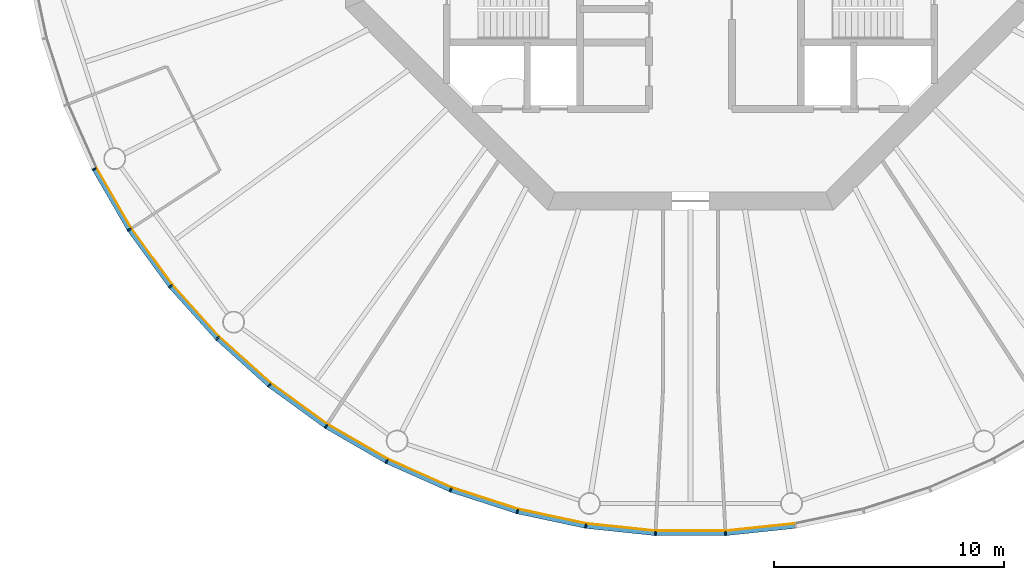
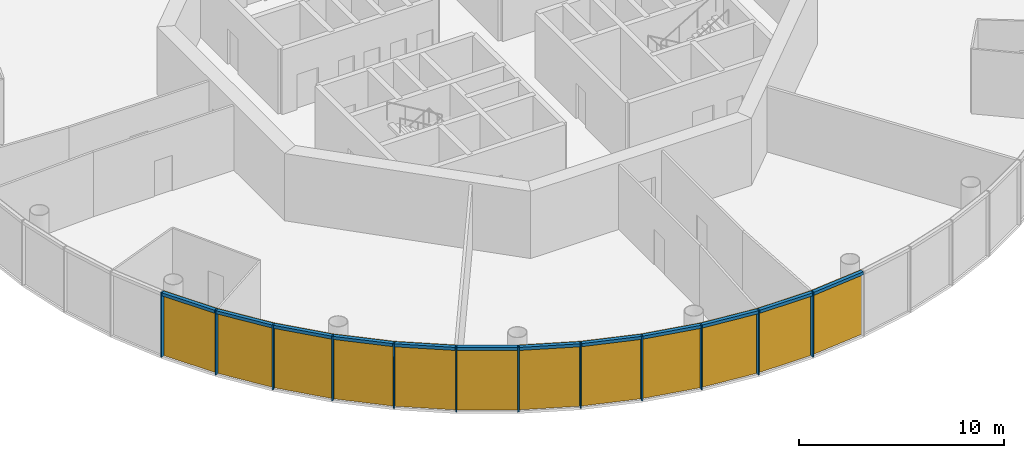
# One storey, part 7 of 13: 24 members, 4 curtain walls.
"""IFC4 building model written with IfcOpenShell, lengths in metres."""

from ifc_helpers import new_model, si_unit, direction, frame, origin, origin_2d, place, context, subcontext, project, spatial, polyline, rectangle, outline, extrude, material, layer, layer_set, material_profile, profile_set, type_object, element, aggregate, save


model = new_model("IFC4")

# Units and contexts
model_context = context("Model", 3, precision=1e-05, world=origin(), true_north=direction((0.0, 1.0)))
body_context = subcontext(model_context, "Body", "Model", "MODEL_VIEW")
ifc_project = project(units=[si_unit("LENGTHUNIT", "METRE"), si_unit("AREAUNIT", "SQUARE_METRE"), si_unit("VOLUMEUNIT", "CUBIC_METRE"), si_unit("PLANEANGLEUNIT", "RADIAN"), si_unit("MASSUNIT", "GRAM", prefix="KILO")], contexts=[model_context])

# Member
ifc_material_1 = material(Name="Anodised aluminium", Category="aluminium")
ifc_material_profile_1 = material_profile(ifc_material_1, rectangle(XDim=0.06494140625, YDim=0.195068359375, at=origin_2d()), Name="Mullion 65 x 195 mm anodised aluminium")
ifc_profile_set_1 = profile_set([ifc_material_profile_1], Name="Anodised aluminium")
member_type_1 = type_object("IfcMemberType", Name="Mullion 65 x 195 mm anodised aluminium", PredefinedType="MULLION", material=ifc_profile_set_1)
site_placement = place(None, origin())
building_placement = place(site_placement, origin())
storey_placement = place(building_placement, frame((0.0, 0.0, 314.0)))
member_1_placement = place(storey_placement, frame((64.073974609375, 66.7900390625, 0.0), z_axis=(0.0, 0.0, 1.0), x_axis=(0.45399049974, -0.891006524188, 0.0)))
member_1 = element("IfcMember", 1, at=member_1_placement, type_object=member_type_1, Name="MULLION L72-33", PredefinedType="MULLION", context=body_context, shape_type="SweptSolid", body=[
    extrude(rectangle(XDim=0.06494140625, YDim=0.195068359375, at=origin_2d()), origin(), (0.0, 0.0, 1.0), 3.85009765625),
])

member_2_placement = place(storey_placement, frame((65.5966796875, 64.15234375, 0.0), z_axis=(0.0, 0.0, 1.0), x_axis=(0.544639035015, -0.838670567945, 0.0)))
member_2 = element("IfcMember", 2, at=member_2_placement, type_object=member_type_1, Name="MULLION L72-34", PredefinedType="MULLION", context=body_context, shape_type="SweptSolid", body=[
    extrude(rectangle(XDim=0.06494140625, YDim=0.195068359375, at=origin_2d()), origin(), (0.0, 0.0, 1.0), 3.85009765625),
])

member_3_placement = place(storey_placement, frame((67.386962890625, 61.688232421875, 0.0), z_axis=(0.0, 0.0, 1.0), x_axis=(0.62932039105, -0.777145961457, 0.0)))
member_3 = element("IfcMember", 3, at=member_3_placement, type_object=member_type_1, Name="MULLION L72-35", PredefinedType="MULLION", context=body_context, shape_type="SweptSolid", body=[
    extrude(rectangle(XDim=0.06494140625, YDim=0.195068359375, at=origin_2d()), origin(), (0.0, 0.0, 1.0), 3.85009765625),
])

member_4_placement = place(storey_placement, frame((69.425048828125, 59.425048828125, 0.0), z_axis=(0.0, 0.0, 1.0), x_axis=(0.707106781187, -0.707106781187, 0.0)))
member_4 = element("IfcMember", 4, at=member_4_placement, type_object=member_type_1, Name="MULLION L72-36", PredefinedType="MULLION", context=body_context, shape_type="SweptSolid", body=[
    extrude(rectangle(XDim=0.06494140625, YDim=0.195068359375, at=origin_2d()), origin(), (0.0, 0.0, 1.0), 3.85009765625),
])

member_5_placement = place(storey_placement, frame((71.688232421875, 57.386962890625, 0.0), z_axis=(0.0, 0.0, 1.0), x_axis=(0.777145961457, -0.62932039105, 0.0)))
member_5 = element("IfcMember", 5, at=member_5_placement, type_object=member_type_1, Name="MULLION L72-37", PredefinedType="MULLION", context=body_context, shape_type="SweptSolid", body=[
    extrude(rectangle(XDim=0.06494140625, YDim=0.195068359375, at=origin_2d()), origin(), (0.0, 0.0, 1.0), 3.85009765625),
])

member_6_placement = place(storey_placement, frame((74.15234375, 55.5966796875, 0.0), z_axis=(0.0, 0.0, 1.0), x_axis=(0.838670567945, -0.544639035015, 0.0)))
member_6 = element("IfcMember", 6, at=member_6_placement, type_object=member_type_1, Name="MULLION L72-38", PredefinedType="MULLION", context=body_context, shape_type="SweptSolid", body=[
    extrude(rectangle(XDim=0.06494140625, YDim=0.195068359375, at=origin_2d()), origin(), (0.0, 0.0, 1.0), 3.85009765625),
])

member_7_placement = place(storey_placement, frame((76.7900390625, 54.073974609375, 0.0), z_axis=(0.0, 0.0, 1.0), x_axis=(0.891006524188, -0.45399049974, 0.0)))
member_7 = element("IfcMember", 7, at=member_7_placement, type_object=member_type_1, Name="MULLION L72-39", PredefinedType="MULLION", context=body_context, shape_type="SweptSolid", body=[
    extrude(rectangle(XDim=0.06494140625, YDim=0.195068359375, at=origin_2d()), origin(), (0.0, 0.0, 1.0), 3.85009765625),
])

member_8_placement = place(storey_placement, frame((79.572509765625, 52.835205078125, 0.0), z_axis=(0.0, 0.0, 1.0), x_axis=(0.933580426497, -0.358367949545, 0.0)))
member_8 = element("IfcMember", 8, at=member_8_placement, type_object=member_type_1, Name="MULLION L72-40", PredefinedType="MULLION", context=body_context, shape_type="SweptSolid", body=[
    extrude(rectangle(XDim=0.06494140625, YDim=0.195068359375, at=origin_2d()), origin(), (0.0, 0.0, 1.0), 3.85009765625),
])

member_9_placement = place(storey_placement, frame((82.468994140625, 51.89404296875, 0.0), z_axis=(0.0, 0.0, 1.0), x_axis=(0.965925826289, -0.258819045103, 0.0)))
member_9 = element("IfcMember", 9, at=member_9_placement, type_object=member_type_1, Name="MULLION L72-41", PredefinedType="MULLION", context=body_context, shape_type="SweptSolid", body=[
    extrude(rectangle(XDim=0.06494140625, YDim=0.195068359375, at=origin_2d()), origin(), (0.0, 0.0, 1.0), 3.85009765625),
])

member_10_placement = place(storey_placement, frame((85.4482421875, 51.2607421875, 0.0), z_axis=(0.0, 0.0, 1.0), x_axis=(0.987688340595, -0.15643446504, 0.0)))
member_10 = element("IfcMember", 10, at=member_10_placement, type_object=member_type_1, Name="MULLION L72-42", PredefinedType="MULLION", context=body_context, shape_type="SweptSolid", body=[
    extrude(rectangle(XDim=0.06494140625, YDim=0.195068359375, at=origin_2d()), origin(), (0.0, 0.0, 1.0), 3.85009765625),
])

member_11_placement = place(storey_placement, frame((88.47705078125, 50.9423828125, 0.0), z_axis=(0.0, 0.0, 1.0), x_axis=(0.998629534755, -0.052335956243, 0.0)))
member_11 = element("IfcMember", 11, at=member_11_placement, type_object=member_type_1, Name="MULLION L72-43", PredefinedType="MULLION", context=body_context, shape_type="SweptSolid", body=[
    extrude(rectangle(XDim=0.06494140625, YDim=0.195068359375, at=origin_2d()), origin(), (0.0, 0.0, 1.0), 3.85009765625),
])

member_12_placement = place(storey_placement, frame((91.52294921875, 50.9423828125, 0.0), z_axis=(0.0, 0.0, 1.0), x_axis=(0.998629534755, 0.052335956243, 0.0)))
member_12 = element("IfcMember", 12, at=member_12_placement, type_object=member_type_1, Name="MULLION L72-44", PredefinedType="MULLION", context=body_context, shape_type="SweptSolid", body=[
    extrude(rectangle(XDim=0.06494140625, YDim=0.195068359375, at=origin_2d()), origin(), (0.0, 0.0, 1.0), 3.85009765625),
])

ifc_material_2 = material(Name="Anodised aluminium", Category="aluminium")
ifc_material_profile_2 = material_profile(ifc_material_2, rectangle(XDim=0.195068359375, YDim=0.179931640625, at=origin_2d()), Name="Transom 180 x 195 mm anodised aluminium")
ifc_profile_set_2 = profile_set([ifc_material_profile_2], Name="Anodised aluminium")
member_type_2 = type_object("IfcMemberType", Name="Transom 180 x 195 mm anodised aluminium", PredefinedType="USERDEFINED", material=ifc_profile_set_2)
member_13_placement = place(storey_placement, frame((64.092529296875, 66.75732421875, 3.760009765625), z_axis=(0.500028367561, -0.866009025146, 0.0), x_axis=(0.866009025146, 0.500028367561, 0.0)))
member_13 = element("IfcMember", 13, at=member_13_placement, type_object=member_type_2, Name="TRANSOM L72-33", ObjectType="TRANSOM", PredefinedType="USERDEFINED", context=body_context, shape_type="SweptSolid", body=[
    extrude(rectangle(XDim=0.195068359375, YDim=0.179931640625, at=origin_2d()), origin(), (0.0, 0.0, 1.0), 2.970458984375),
])

member_14_placement = place(storey_placement, frame((65.618896484375, 64.121826171875, 3.760009765625), z_axis=(0.587765987476, -0.809030990733, 0.0), x_axis=(0.809030990733, 0.587765987476, 0.0)))
member_14 = element("IfcMember", 14, at=member_14_placement, type_object=member_type_2, Name="TRANSOM L72-34", ObjectType="TRANSOM", PredefinedType="USERDEFINED", context=body_context, shape_type="SweptSolid", body=[
    extrude(rectangle(XDim=0.195068359375, YDim=0.179931640625, at=origin_2d()), origin(), (0.0, 0.0, 1.0), 2.97021484375),
])

member_15_placement = place(storey_placement, frame((67.412109375, 61.660400390625, 3.760009765625), z_axis=(0.669110027395, -0.743163354343, 0.0), x_axis=(0.743163354343, 0.669110027395, 0.0)))
member_15 = element("IfcMember", 15, at=member_15_placement, type_object=member_type_2, Name="TRANSOM L72-35", ObjectType="TRANSOM", PredefinedType="USERDEFINED", context=body_context, shape_type="SweptSolid", body=[
    extrude(rectangle(XDim=0.195068359375, YDim=0.179931640625, at=origin_2d()), origin(), (0.0, 0.0, 1.0), 2.970458984375),
])

member_16_placement = place(storey_placement, frame((69.452880859375, 59.399658203125, 3.760009765625), z_axis=(0.743163354343, -0.669110027395, 0.0), x_axis=(0.669110027395, 0.743163354343, 0.0)))
member_16 = element("IfcMember", 16, at=member_16_placement, type_object=member_type_2, Name="TRANSOM L72-36", ObjectType="TRANSOM", PredefinedType="USERDEFINED", context=body_context, shape_type="SweptSolid", body=[
    extrude(rectangle(XDim=0.195068359375, YDim=0.179931640625, at=origin_2d()), origin(), (0.0, 0.0, 1.0), 2.970458984375),
])

member_17_placement = place(storey_placement, frame((71.71875, 57.36474609375, 3.760009765625), z_axis=(0.809030990733, -0.587765987476, 0.0), x_axis=(0.587765987476, 0.809030990733, 0.0)))
member_17 = element("IfcMember", 17, at=member_17_placement, type_object=member_type_2, Name="TRANSOM L72-37", ObjectType="TRANSOM", PredefinedType="USERDEFINED", context=body_context, shape_type="SweptSolid", body=[
    extrude(rectangle(XDim=0.195068359375, YDim=0.179931640625, at=origin_2d()), origin(), (0.0, 0.0, 1.0), 2.97021484375),
])

member_18_placement = place(storey_placement, frame((74.184814453125, 55.577880859375, 3.760009765625), z_axis=(0.866009025146, -0.500028367561, 0.0), x_axis=(0.500028367561, 0.866009025146, 0.0)))
member_18 = element("IfcMember", 18, at=member_18_placement, type_object=member_type_2, Name="TRANSOM L72-38", ObjectType="TRANSOM", PredefinedType="USERDEFINED", context=body_context, shape_type="SweptSolid", body=[
    extrude(rectangle(XDim=0.195068359375, YDim=0.179931640625, at=origin_2d()), origin(), (0.0, 0.0, 1.0), 2.970458984375),
])

member_19_placement = place(storey_placement, frame((76.82421875, 54.05859375, 3.760009765625), z_axis=(0.913550406593, -0.406725527369, 0.0), x_axis=(0.406725527369, 0.913550406593, 0.0)))
member_19 = element("IfcMember", 19, at=member_19_placement, type_object=member_type_2, Name="TRANSOM L72-39", ObjectType="TRANSOM", PredefinedType="USERDEFINED", context=body_context, shape_type="SweptSolid", body=[
    extrude(rectangle(XDim=0.195068359375, YDim=0.179931640625, at=origin_2d()), origin(), (0.0, 0.0, 1.0), 2.970703125),
])

member_20_placement = place(storey_placement, frame((79.608154296875, 52.823486328125, 3.760009765625), z_axis=(0.951047960094, -0.309043326415, 0.0), x_axis=(0.309043326415, 0.951047960094, 0.0)))
member_20 = element("IfcMember", 20, at=member_20_placement, type_object=member_type_2, Name="TRANSOM L72-40", ObjectType="TRANSOM", PredefinedType="USERDEFINED", context=body_context, shape_type="SweptSolid", body=[
    extrude(rectangle(XDim=0.195068359375, YDim=0.179931640625, at=origin_2d()), origin(), (0.0, 0.0, 1.0), 2.970458984375),
])

member_21_placement = place(storey_placement, frame((82.505859375, 51.885986328125, 3.760009765625), z_axis=(0.978141510112, -0.207940342877, 0.0), x_axis=(0.207940342877, 0.978141510112, 0.0)))
member_21 = element("IfcMember", 21, at=member_21_placement, type_object=member_type_2, Name="TRANSOM L72-41", ObjectType="TRANSOM", PredefinedType="USERDEFINED", context=body_context, shape_type="SweptSolid", body=[
    extrude(rectangle(XDim=0.195068359375, YDim=0.179931640625, at=origin_2d()), origin(), (0.0, 0.0, 1.0), 2.970458984375),
])

member_22_placement = place(storey_placement, frame((85.485595703125, 51.256591796875, 3.760009765625), z_axis=(0.994528397827, -0.104466577987, 0.0), x_axis=(0.104466577987, 0.994528397827, 0.0)))
member_22 = element("IfcMember", 22, at=member_22_placement, type_object=member_type_2, Name="TRANSOM L72-42", ObjectType="TRANSOM", PredefinedType="USERDEFINED", context=body_context, shape_type="SweptSolid", body=[
    extrude(rectangle(XDim=0.195068359375, YDim=0.179931640625, at=origin_2d()), origin(), (0.0, 0.0, 1.0), 2.970458984375),
])

member_23_placement = place(storey_placement, frame((88.5146484375, 50.942138671875, 3.760009765625), z_axis=(1.0, 0.0, 0.0), x_axis=(0.0, 1.0, 0.0)))
member_23 = element("IfcMember", 23, at=member_23_placement, type_object=member_type_2, Name="TRANSOM L72-43", ObjectType="TRANSOM", PredefinedType="USERDEFINED", context=body_context, shape_type="SweptSolid", body=[
    extrude(rectangle(XDim=0.195068359375, YDim=0.179931640625, at=origin_2d()), origin(), (0.0, 0.0, 1.0), 2.970703125),
])

member_24_placement = place(storey_placement, frame((91.560302734375, 50.9462890625, 3.760009765625), z_axis=(0.994528397827, 0.104466577987, 0.0), x_axis=(-0.104466577987, 0.994528397827, 0.0)))
member_24 = element("IfcMember", 24, at=member_24_placement, type_object=member_type_2, Name="TRANSOM L72-44", ObjectType="TRANSOM", PredefinedType="USERDEFINED", context=body_context, shape_type="SweptSolid", body=[
    extrude(rectangle(XDim=0.195068359375, YDim=0.179931640625, at=origin_2d()), origin(), (0.0, 0.0, 1.0), 2.970458984375),
])

# Site, building, storey
site = spatial("IfcSite", under=ifc_project, at=site_placement, CompositionType="ELEMENT")
building = spatial("IfcBuilding", under=site, at=building_placement, Name="Entoto Ring Tower", CompositionType="ELEMENT")
storey = spatial("IfcBuildingStorey", under=building, at=storey_placement, Name="L72", CompositionType="ELEMENT", Elevation=314.0)

# Curtain wall
ifc_material_3 = material(Name="Clear low-iron glass", Category="glass")
ifc_layer = layer(ifc_material_3, 0.033935546875)
ifc_layer_set = layer_set([ifc_layer], Name="Clear low-iron glass")
curtain_wall_type = type_object("IfcCurtainWallType", Name="Curtain wall system CW5 glazing 34 mm", PredefinedType="NOTDEFINED", material=ifc_layer_set)
curtain_wall_1_placement = place(storey_placement, origin())
curtain_wall_1 = element("IfcCurtainWall", 25, at=curtain_wall_1_placement, inside=storey, type_object=curtain_wall_type, Name="CW5 L72-12", PredefinedType="NOTDEFINED", context=body_context, shape_type="SweptSolid", body=[
    extrude(outline(polyline([(64.160888671875, 66.834228515625), (65.678466796875, 64.20556640625), (67.462646484375, 61.749755859375), (69.493896484375, 59.493896484375), (69.51806640625, 59.51806640625), (67.4892578125, 61.771240234375), (65.70703125, 64.22412109375), (64.191162109375, 66.849853515625), (64.160888671875, 66.834228515625)])), origin(), (0.0, 0.0, 1.0), 3.85009765625),
])

aggregate(curtain_wall_1, [member_1, member_2, member_3, member_13, member_14, member_15])

curtain_wall_2_placement = place(storey_placement, origin())
curtain_wall_2 = element("IfcCurtainWall", 26, at=curtain_wall_2_placement, inside=storey, type_object=curtain_wall_type, Name="CW5 L72-13", PredefinedType="NOTDEFINED", context=body_context, shape_type="SweptSolid", body=[
    extrude(outline(polyline([(69.493896484375, 59.493896484375), (71.749755859375, 57.462646484375), (74.20556640625, 55.678466796875), (76.834228515625, 54.160888671875), (76.849853515625, 54.191162109375), (74.22412109375, 55.70703125), (71.771240234375, 57.4892578125), (69.51806640625, 59.51806640625), (69.493896484375, 59.493896484375)])), origin(), (0.0, 0.0, 1.0), 3.85009765625),
])

aggregate(curtain_wall_2, [member_4, member_5, member_6, member_16, member_17, member_18])

curtain_wall_3_placement = place(storey_placement, origin())
curtain_wall_3 = element("IfcCurtainWall", 27, at=curtain_wall_3_placement, inside=storey, type_object=curtain_wall_type, Name="CW5 L72-14", PredefinedType="NOTDEFINED", context=body_context, shape_type="SweptSolid", body=[
    extrude(outline(polyline([(76.834228515625, 54.160888671875), (79.607421875, 52.92626953125), (82.494140625, 51.988037109375), (85.46337890625, 51.35693359375), (85.46875, 51.390625), (82.503173828125, 52.02099609375), (79.61962890625, 52.9580078125), (76.849853515625, 54.191162109375), (76.834228515625, 54.160888671875)])), origin(), (0.0, 0.0, 1.0), 3.85009765625),
])

aggregate(curtain_wall_3, [member_7, member_8, member_9, member_19, member_20, member_21])

curtain_wall_4_placement = place(storey_placement, origin())
curtain_wall_4 = element("IfcCurtainWall", 28, at=curtain_wall_4_placement, inside=storey, type_object=curtain_wall_type, Name="CW5 L72-15", PredefinedType="NOTDEFINED", context=body_context, shape_type="SweptSolid", body=[
    extrude(outline(polyline([(85.46337890625, 51.35693359375), (88.482177734375, 51.039794921875), (91.517822265625, 51.039794921875), (94.53662109375, 51.35693359375), (94.53125, 51.390625), (91.515869140625, 51.07373046875), (88.484130859375, 51.07373046875), (85.46875, 51.390625), (85.46337890625, 51.35693359375)])), origin(), (0.0, 0.0, 1.0), 3.85009765625),
])

aggregate(curtain_wall_4, [member_10, member_11, member_12, member_22, member_23, member_24])

save(model, "model.ifc")
